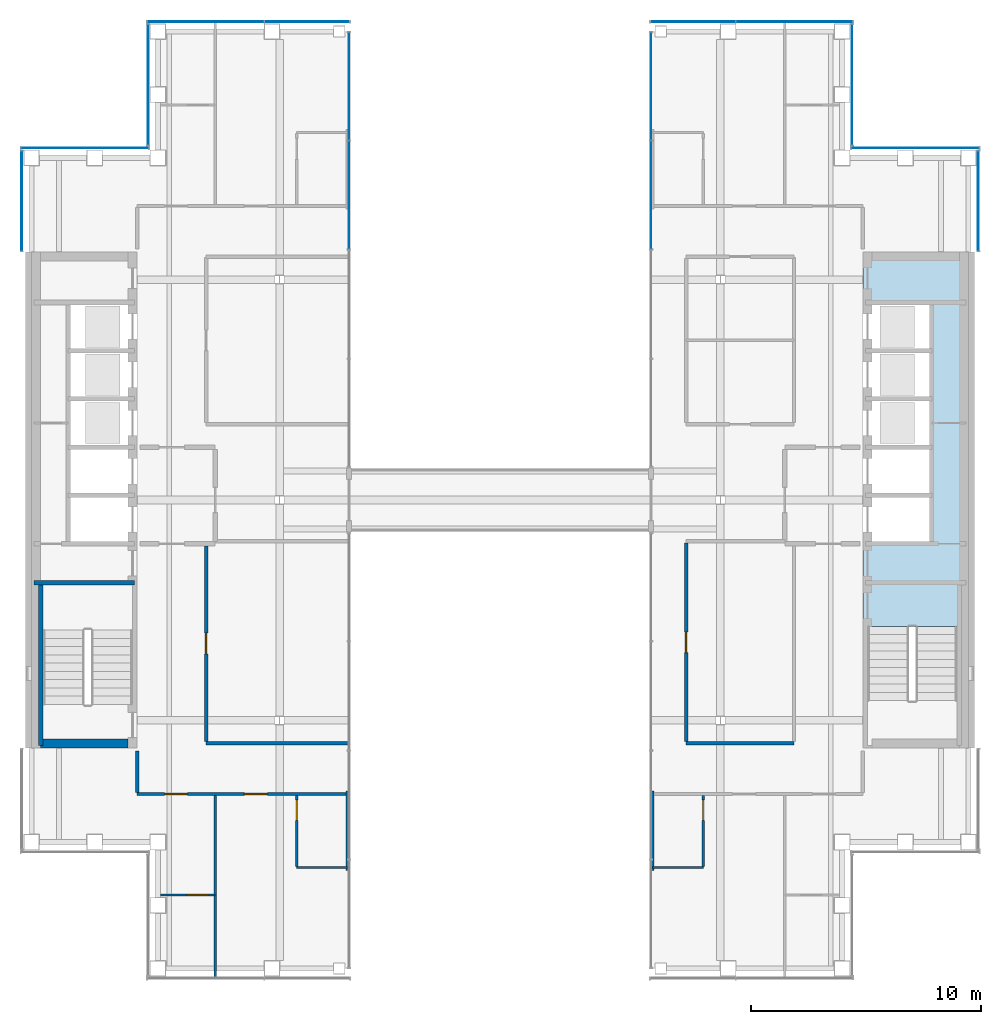
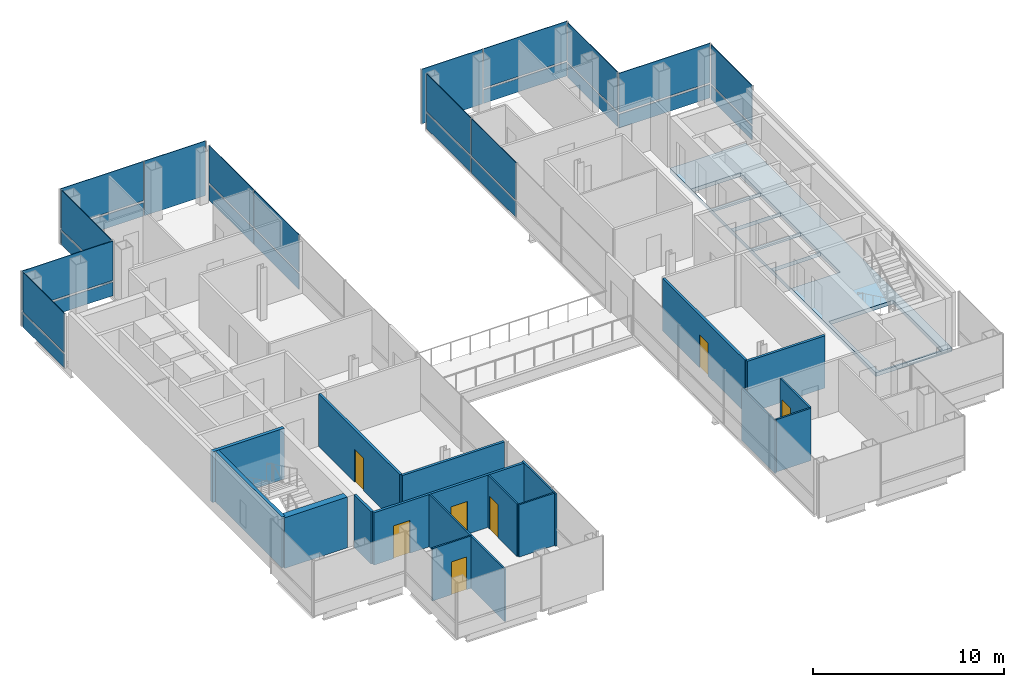
# One storey, part 10 of 15: 26 plates, 17 walls, 7 doors, 1 slab, 7 openings, 10 elements without a shape of their own.
"""IFC4 building model written with IfcOpenShell, lengths in metres."""

from ifc_helpers import new_model, si_unit, direction, frame, frame_2d, origin, origin_2d, place, context, subcontext, project, spatial, polyline, rectangle, outline, extrude, material, layer, layer_set, type_object, element, fill, aggregate, save


model = new_model("IFC4")

# Units and contexts
model_context = context("Model", 3, precision=1e-05, world=origin(), true_north=direction((0.0, 1.0)))
body_context = subcontext(model_context, "Body", "Model", "MODEL_VIEW")
ifc_project = project(units=[si_unit("LENGTHUNIT", "METRE"), si_unit("AREAUNIT", "SQUARE_METRE"), si_unit("VOLUMEUNIT", "CUBIC_METRE"), si_unit("PLANEANGLEUNIT", "RADIAN"), si_unit("MASSUNIT", "GRAM", prefix="KILO")], contexts=[model_context])

# Site, building, storey
site_placement = place(None, origin())
site = spatial("IfcSite", under=ifc_project, at=site_placement, CompositionType="ELEMENT")
building_placement = place(site_placement, origin())
building = spatial("IfcBuilding", under=site, at=building_placement, Name="Cobrizo Arcos Hotel Tower", CompositionType="ELEMENT")
storey_placement = place(building_placement, frame((0.0, 0.0, 222.5)))
storey = spatial("IfcBuildingStorey", under=building, at=storey_placement, Name="L58", CompositionType="ELEMENT", Elevation=222.5)

# Curtain wall, plate
ifc_material_1 = material(Name="Aluminium 6063-T6 anodised bronze", Category="aluminium")
curtain_wall_type_1 = type_object("IfcCurtainWallType", Name="CW-A guest facade", PredefinedType="NOTDEFINED", material=ifc_material_1)
curtain_wall_1_placement = place(storey_placement, origin())
curtain_wall_1 = element("IfcCurtainWall", 1, at=curtain_wall_1_placement, inside=storey, type_object=curtain_wall_type_1, Name="CW-A L58 E face", PredefinedType="NOTDEFINED")
ifc_material_2 = material(Name="Glass clear laminated low-e", Category="glass")
ifc_layer_1 = layer(ifc_material_2, 0.0400390625)
ifc_layer_set_1 = layer_set([ifc_layer_1], Name="CW-A glass panel")
plate_type_1 = type_object("IfcPlateType", Name="CW-A glass panel", PredefinedType="CURTAIN_PANEL", material=ifc_layer_set_1)
plate_1_placement = place(storey_placement, frame((20.824951171875, 13.02490234375, 0.990234375), z_axis=(0.0, 0.0, 1.0), x_axis=(0.0, 1.0, 0.0)))
plate_1 = element("IfcPlate", 2, at=plate_1_placement, type_object=plate_type_1, Name="CW-A glass panel 1915", PredefinedType="CURTAIN_PANEL", context=body_context, shape_type="SweptSolid", body=[
    extrude(rectangle(XDim=4.330078125, YDim=0.0400390625, at=origin_2d()), origin(), (0.0, 0.0, 1.0), 2.510009765625),
])

curtain_wall_2_placement = place(storey_placement, origin())
curtain_wall_2 = element("IfcCurtainWall", 3, at=curtain_wall_2_placement, inside=storey, type_object=curtain_wall_type_1, Name="CW-A L58 N face", PredefinedType="NOTDEFINED")
plate_2_placement = place(storey_placement, frame((18.074951171875, 15.324951171875, 0.990234375), z_axis=(0.0, 0.0, 1.0), x_axis=(-1.0, 0.0, 0.0)))
plate_2 = element("IfcPlate", 4, at=plate_2_placement, type_object=plate_type_1, Name="CW-A glass panel 1916", PredefinedType="CURTAIN_PANEL", context=body_context, shape_type="SweptSolid", body=[
    extrude(rectangle(XDim=5.530029296875, YDim=0.0400390625, at=origin_2d()), origin(), (0.0, 0.0, 1.0), 2.510009765625),
])

curtain_wall_3_placement = place(storey_placement, origin())
curtain_wall_3 = element("IfcCurtainWall", 5, at=curtain_wall_3_placement, inside=storey, type_object=curtain_wall_type_1, Name="CW-A L58 E face", PredefinedType="NOTDEFINED")
plate_3_placement = place(storey_placement, frame((15.324951171875, 18.074951171875, 0.990234375), z_axis=(0.0, 0.0, 1.0), x_axis=(0.0, 1.0, 0.0)))
plate_3 = element("IfcPlate", 6, at=plate_3_placement, type_object=plate_type_1, Name="CW-A glass panel 1917", PredefinedType="CURTAIN_PANEL", context=body_context, shape_type="SweptSolid", body=[
    extrude(rectangle(XDim=5.22998046875, YDim=0.0400390625, at=origin_2d()), origin(), (0.0, 0.0, 1.0), 2.510009765625),
])

curtain_wall_4_placement = place(storey_placement, origin())
curtain_wall_4 = element("IfcCurtainWall", 7, at=curtain_wall_4_placement, inside=storey, type_object=curtain_wall_type_1, Name="CW-A L58 N face", PredefinedType="NOTDEFINED")
plate_4_placement = place(storey_placement, frame((12.818359375, 20.824951171875, 0.990234375), z_axis=(0.0, 0.0, 1.0), x_axis=(-1.0, 0.0, 0.0)))
plate_4 = element("IfcPlate", 8, at=plate_4_placement, type_object=plate_type_1, Name="CW-A glass panel 1918", PredefinedType="CURTAIN_PANEL", context=body_context, shape_type="SweptSolid", body=[
    extrude(rectangle(XDim=5.043212890625, YDim=0.0400390625, at=origin_2d()), origin(), (0.0, 0.0, 1.0), 2.510009765625),
])

curtain_wall_5_placement = place(storey_placement, origin())
curtain_wall_5 = element("IfcCurtainWall", 9, at=curtain_wall_5_placement, inside=storey, type_object=curtain_wall_type_1, Name="CW-A L58 N face", PredefinedType="NOTDEFINED")
plate_5_placement = place(storey_placement, frame((-12.818359375, 20.824951171875, 0.990234375), z_axis=(0.0, 0.0, 1.0), x_axis=(-1.0, 0.0, 0.0)))
plate_5 = element("IfcPlate", 10, at=plate_5_placement, type_object=plate_type_1, Name="CW-A glass panel 1921", PredefinedType="CURTAIN_PANEL", context=body_context, shape_type="SweptSolid", body=[
    extrude(rectangle(XDim=5.043212890625, YDim=0.0400390625, at=origin_2d()), origin(), (0.0, 0.0, 1.0), 2.510009765625),
])

curtain_wall_6_placement = place(storey_placement, origin())
curtain_wall_6 = element("IfcCurtainWall", 11, at=curtain_wall_6_placement, inside=storey, type_object=curtain_wall_type_1, Name="CW-A L58 W face", PredefinedType="NOTDEFINED")
plate_6_placement = place(storey_placement, frame((-15.324951171875, 18.074951171875, 0.990234375), z_axis=(0.0, 0.0, 1.0), x_axis=(0.0, -1.0, 0.0)))
plate_6 = element("IfcPlate", 12, at=plate_6_placement, type_object=plate_type_1, Name="CW-A glass panel 1922", PredefinedType="CURTAIN_PANEL", context=body_context, shape_type="SweptSolid", body=[
    extrude(rectangle(XDim=5.22998046875, YDim=0.0400390625, at=origin_2d()), origin(), (0.0, 0.0, 1.0), 2.510009765625),
])

curtain_wall_7_placement = place(storey_placement, origin())
curtain_wall_7 = element("IfcCurtainWall", 13, at=curtain_wall_7_placement, inside=storey, type_object=curtain_wall_type_1, Name="CW-A L58 N face", PredefinedType="NOTDEFINED")
plate_7_placement = place(storey_placement, frame((-18.074951171875, 15.324951171875, 0.990234375), z_axis=(0.0, 0.0, 1.0), x_axis=(-1.0, 0.0, 0.0)))
plate_7 = element("IfcPlate", 14, at=plate_7_placement, type_object=plate_type_1, Name="CW-A glass panel 1923", PredefinedType="CURTAIN_PANEL", context=body_context, shape_type="SweptSolid", body=[
    extrude(rectangle(XDim=5.530029296875, YDim=0.0400390625, at=origin_2d()), origin(), (0.0, 0.0, 1.0), 2.510009765625),
])

curtain_wall_8_placement = place(storey_placement, origin())
curtain_wall_8 = element("IfcCurtainWall", 15, at=curtain_wall_8_placement, inside=storey, type_object=curtain_wall_type_1, Name="CW-A L58 W face", PredefinedType="NOTDEFINED")
plate_8_placement = place(storey_placement, frame((-20.824951171875, 13.02490234375, 0.990234375), z_axis=(0.0, 0.0, 1.0), x_axis=(0.0, -1.0, 0.0)))
plate_8 = element("IfcPlate", 16, at=plate_8_placement, type_object=plate_type_1, Name="CW-A glass panel 1924", PredefinedType="CURTAIN_PANEL", context=body_context, shape_type="SweptSolid", body=[
    extrude(rectangle(XDim=4.330078125, YDim=0.0400390625, at=origin_2d()), origin(), (0.0, 0.0, 1.0), 2.510009765625),
])

# Plate
ifc_material_3 = material(Name="Aluminium composite panel pale metal", Category="aluminium")
ifc_layer_2 = layer(ifc_material_3, 0.0400390625)
ifc_layer_set_2 = layer_set([ifc_layer_2], Name="CW-A spandrel panel")
plate_type_2 = type_object("IfcPlateType", Name="CW-A spandrel panel", PredefinedType="CURTAIN_PANEL", material=ifc_layer_set_2)
plate_9_placement = place(storey_placement, frame((20.824951171875, 13.02490234375, 0.0), z_axis=(0.0, 0.0, 1.0), x_axis=(0.0, 1.0, 0.0)))
plate_9 = element("IfcPlate", 17, at=plate_9_placement, type_object=plate_type_2, Name="CW-A spandrel panel 1915", PredefinedType="CURTAIN_PANEL", context=body_context, shape_type="SweptSolid", body=[
    extrude(rectangle(XDim=4.330078125, YDim=0.0400390625, at=origin_2d()), origin(), (0.0, 0.0, 1.0), 0.8701171875),
])

aggregate(curtain_wall_1, [plate_9, plate_1])

plate_10_placement = place(storey_placement, frame((18.074951171875, 15.324951171875, 0.0), z_axis=(0.0, 0.0, 1.0), x_axis=(-1.0, 0.0, 0.0)))
plate_10 = element("IfcPlate", 18, at=plate_10_placement, type_object=plate_type_2, Name="CW-A spandrel panel 1916", PredefinedType="CURTAIN_PANEL", context=body_context, shape_type="SweptSolid", body=[
    extrude(rectangle(XDim=5.530029296875, YDim=0.0400390625, at=origin_2d()), origin(), (0.0, 0.0, 1.0), 0.8701171875),
])

aggregate(curtain_wall_2, [plate_10, plate_2])

plate_11_placement = place(storey_placement, frame((15.324951171875, 18.074951171875, 0.0), z_axis=(0.0, 0.0, 1.0), x_axis=(0.0, 1.0, 0.0)))
plate_11 = element("IfcPlate", 19, at=plate_11_placement, type_object=plate_type_2, Name="CW-A spandrel panel 1917", PredefinedType="CURTAIN_PANEL", context=body_context, shape_type="SweptSolid", body=[
    extrude(rectangle(XDim=5.22998046875, YDim=0.0400390625, at=origin_2d()), origin(), (0.0, 0.0, 1.0), 0.8701171875),
])

aggregate(curtain_wall_3, [plate_11, plate_3])

plate_12_placement = place(storey_placement, frame((12.818359375, 20.824951171875, 0.0), z_axis=(0.0, 0.0, 1.0), x_axis=(-1.0, 0.0, 0.0)))
plate_12 = element("IfcPlate", 20, at=plate_12_placement, type_object=plate_type_2, Name="CW-A spandrel panel 1918", PredefinedType="CURTAIN_PANEL", context=body_context, shape_type="SweptSolid", body=[
    extrude(rectangle(XDim=5.043212890625, YDim=0.0400390625, at=origin_2d()), origin(), (0.0, 0.0, 1.0), 0.8701171875),
])

plate_13_placement = place(storey_placement, frame((8.3984375, 20.824951171875, 0.0), z_axis=(0.0, 0.0, 1.0), x_axis=(-1.0, 0.0, 0.0)))
plate_13 = element("IfcPlate", 21, at=plate_13_placement, type_object=plate_type_2, Name="CW-A spandrel panel 1919", PredefinedType="CURTAIN_PANEL", context=body_context, shape_type="SweptSolid", body=[
    extrude(rectangle(XDim=3.6767578125, YDim=0.0400390625, at=origin_2d()), origin(), (0.0, 0.0, 1.0), 3.5),
])

aggregate(curtain_wall_4, [plate_12, plate_4, plate_13])

plate_14_placement = place(storey_placement, frame((-8.3984375, 20.824951171875, 0.0), z_axis=(0.0, 0.0, 1.0), x_axis=(-1.0, 0.0, 0.0)))
plate_14 = element("IfcPlate", 22, at=plate_14_placement, type_object=plate_type_2, Name="CW-A spandrel panel 1920", PredefinedType="CURTAIN_PANEL", context=body_context, shape_type="SweptSolid", body=[
    extrude(rectangle(XDim=3.6767578125, YDim=0.0400390625, at=origin_2d()), origin(), (0.0, 0.0, 1.0), 3.5),
])

plate_15_placement = place(storey_placement, frame((-12.818359375, 20.824951171875, 0.0), z_axis=(0.0, 0.0, 1.0), x_axis=(-1.0, 0.0, 0.0)))
plate_15 = element("IfcPlate", 23, at=plate_15_placement, type_object=plate_type_2, Name="CW-A spandrel panel 1921", PredefinedType="CURTAIN_PANEL", context=body_context, shape_type="SweptSolid", body=[
    extrude(rectangle(XDim=5.043212890625, YDim=0.0400390625, at=origin_2d()), origin(), (0.0, 0.0, 1.0), 0.8701171875),
])

aggregate(curtain_wall_5, [plate_14, plate_15, plate_5])

plate_16_placement = place(storey_placement, frame((-15.324951171875, 18.074951171875, 0.0), z_axis=(0.0, 0.0, 1.0), x_axis=(0.0, -1.0, 0.0)))
plate_16 = element("IfcPlate", 24, at=plate_16_placement, type_object=plate_type_2, Name="CW-A spandrel panel 1922", PredefinedType="CURTAIN_PANEL", context=body_context, shape_type="SweptSolid", body=[
    extrude(rectangle(XDim=5.22998046875, YDim=0.0400390625, at=origin_2d()), origin(), (0.0, 0.0, 1.0), 0.8701171875),
])

aggregate(curtain_wall_6, [plate_16, plate_6])

plate_17_placement = place(storey_placement, frame((-18.074951171875, 15.324951171875, 0.0), z_axis=(0.0, 0.0, 1.0), x_axis=(-1.0, 0.0, 0.0)))
plate_17 = element("IfcPlate", 25, at=plate_17_placement, type_object=plate_type_2, Name="CW-A spandrel panel 1923", PredefinedType="CURTAIN_PANEL", context=body_context, shape_type="SweptSolid", body=[
    extrude(rectangle(XDim=5.530029296875, YDim=0.0400390625, at=origin_2d()), origin(), (0.0, 0.0, 1.0), 0.8701171875),
])

aggregate(curtain_wall_7, [plate_17, plate_7])

plate_18_placement = place(storey_placement, frame((-20.824951171875, 13.02490234375, 0.0), z_axis=(0.0, 0.0, 1.0), x_axis=(0.0, -1.0, 0.0)))
plate_18 = element("IfcPlate", 26, at=plate_18_placement, type_object=plate_type_2, Name="CW-A spandrel panel 1924", PredefinedType="CURTAIN_PANEL", context=body_context, shape_type="SweptSolid", body=[
    extrude(rectangle(XDim=4.330078125, YDim=0.0400390625, at=origin_2d()), origin(), (0.0, 0.0, 1.0), 0.8701171875),
])

aggregate(curtain_wall_8, [plate_18, plate_8])

# Curtain wall, plates
curtain_wall_type_2 = type_object("IfcCurtainWallType", Name="CW-F void screen", PredefinedType="NOTDEFINED", material=ifc_material_1)
curtain_wall_9_placement = place(storey_placement, origin())
curtain_wall_9 = element("IfcCurtainWall", 27, at=curtain_wall_9_placement, inside=storey, type_object=curtain_wall_type_2, Name="CW-F L58 void screen C", PredefinedType="NOTDEFINED")
ifc_layer_3 = layer(ifc_material_2, 0.0400390625)
ifc_layer_set_3 = layer_set([ifc_layer_3], Name="CW-F glass panel")
plate_type_3 = type_object("IfcPlateType", Name="CW-F glass panel", PredefinedType="CURTAIN_PANEL", material=ifc_layer_set_3)
plate_19_placement = place(storey_placement, frame((6.574951171875, 13.27490234375, 0.0), z_axis=(0.0, 0.0, 1.0), x_axis=(0.0, 1.0, 0.0)))
plate_19 = element("IfcPlate", 28, at=plate_19_placement, type_object=plate_type_3, Name="CW-F glass panel 2706", PredefinedType="CURTAIN_PANEL", context=body_context, shape_type="SweptSolid", body=[
    extrude(rectangle(XDim=4.68994140625, YDim=0.0400390625, at=origin_2d()), origin(), (0.0, 0.0, 1.0), 0.989990234375),
])
plate_20_placement = place(storey_placement, frame((6.574951171875, 13.27490234375, 1.10986328125), z_axis=(0.0, 0.0, 1.0), x_axis=(0.0, 1.0, 0.0)))
plate_20 = element("IfcPlate", 29, at=plate_20_placement, type_object=plate_type_3, Name="CW-F glass panel 2706", PredefinedType="CURTAIN_PANEL", context=body_context, shape_type="SweptSolid", body=[
    extrude(rectangle(XDim=4.68994140625, YDim=0.0400390625, at=origin_2d()), origin(), (0.0, 0.0, 1.0), 2.389892578125),
])
plate_21_placement = place(storey_placement, frame((6.574951171875, 18.010009765625, 0.0), z_axis=(0.0, 0.0, 1.0), x_axis=(0.0, 1.0, 0.0)))
plate_21 = element("IfcPlate", 30, at=plate_21_placement, type_object=plate_type_3, Name="CW-F glass panel 2707", PredefinedType="CURTAIN_PANEL", context=body_context, shape_type="SweptSolid", body=[
    extrude(rectangle(XDim=4.659912109375, YDim=0.0400390625, at=origin_2d()), origin(), (0.0, 0.0, 1.0), 0.989990234375),
])
plate_22_placement = place(storey_placement, frame((6.574951171875, 18.010009765625, 1.10986328125), z_axis=(0.0, 0.0, 1.0), x_axis=(0.0, 1.0, 0.0)))
plate_22 = element("IfcPlate", 31, at=plate_22_placement, type_object=plate_type_3, Name="CW-F glass panel 2707", PredefinedType="CURTAIN_PANEL", context=body_context, shape_type="SweptSolid", body=[
    extrude(rectangle(XDim=4.659912109375, YDim=0.0400390625, at=origin_2d()), origin(), (0.0, 0.0, 1.0), 2.389892578125),
])
aggregate(curtain_wall_9, [plate_19, plate_20, plate_21, plate_22])

curtain_wall_10_placement = place(storey_placement, origin())
curtain_wall_10 = element("IfcCurtainWall", 32, at=curtain_wall_10_placement, inside=storey, type_object=curtain_wall_type_2, Name="CW-F L58 void screen C", PredefinedType="NOTDEFINED")
plate_23_placement = place(storey_placement, frame((-6.574951171875, 18.010009765625, 0.0), z_axis=(0.0, 0.0, 1.0), x_axis=(0.0, -1.0, 0.0)))
plate_23 = element("IfcPlate", 33, at=plate_23_placement, type_object=plate_type_3, Name="CW-F glass panel 2708", PredefinedType="CURTAIN_PANEL", context=body_context, shape_type="SweptSolid", body=[
    extrude(rectangle(XDim=4.659912109375, YDim=0.0400390625, at=origin_2d()), origin(), (0.0, 0.0, 1.0), 0.989990234375),
])
plate_24_placement = place(storey_placement, frame((-6.574951171875, 18.010009765625, 1.10986328125), z_axis=(0.0, 0.0, 1.0), x_axis=(0.0, -1.0, 0.0)))
plate_24 = element("IfcPlate", 34, at=plate_24_placement, type_object=plate_type_3, Name="CW-F glass panel 2708", PredefinedType="CURTAIN_PANEL", context=body_context, shape_type="SweptSolid", body=[
    extrude(rectangle(XDim=4.659912109375, YDim=0.0400390625, at=origin_2d()), origin(), (0.0, 0.0, 1.0), 2.389892578125),
])
plate_25_placement = place(storey_placement, frame((-6.574951171875, 13.27490234375, 0.0), z_axis=(0.0, 0.0, 1.0), x_axis=(0.0, -1.0, 0.0)))
plate_25 = element("IfcPlate", 35, at=plate_25_placement, type_object=plate_type_3, Name="CW-F glass panel 2709", PredefinedType="CURTAIN_PANEL", context=body_context, shape_type="SweptSolid", body=[
    extrude(rectangle(XDim=4.68994140625, YDim=0.0400390625, at=origin_2d()), origin(), (0.0, 0.0, 1.0), 0.989990234375),
])
plate_26_placement = place(storey_placement, frame((-6.574951171875, 13.27490234375, 1.10986328125), z_axis=(0.0, 0.0, 1.0), x_axis=(0.0, -1.0, 0.0)))
plate_26 = element("IfcPlate", 36, at=plate_26_placement, type_object=plate_type_3, Name="CW-F glass panel 2709", PredefinedType="CURTAIN_PANEL", context=body_context, shape_type="SweptSolid", body=[
    extrude(rectangle(XDim=4.68994140625, YDim=0.0400390625, at=origin_2d()), origin(), (0.0, 0.0, 1.0), 2.389892578125),
])
aggregate(curtain_wall_10, [plate_23, plate_24, plate_25, plate_26])

# Slab
ifc_material_4 = material(Name="Concrete f'c 40 MPa", Category="concrete")
ifc_layer_4 = layer(ifc_material_4, 0.25)
ifc_layer_set_4 = layer_set([ifc_layer_4], Name="RC core floor slab 250 f'c 40")
slab_type = type_object("IfcSlabType", Name="RC core floor slab 250 f'c 40", PredefinedType="FLOOR", material=ifc_layer_set_4)
slab_placement = place(storey_placement, frame((0.0, 0.0, -0.25)))
element("IfcSlab", 37, at=slab_placement, inside=storey, type_object=slab_type, Name="Core floor slab CS7, east core, L58", PredefinedType="FLOOR", context=body_context, shape_type="SweptSolid", body=[
    extrude(outline(polyline([(15.800048828125, 10.800048828125), (20.39990234375, 10.800048828125), (20.39990234375, -10.800048828125), (15.800048828125, -10.800048828125), (15.800048828125, 10.800048828125)]), holes=[polyline([(19.89794921875, -10.697998046875), (19.89794921875, -5.501953125), (16.001953125, -5.501953125), (16.001953125, -10.697998046875), (19.89794921875, -10.697998046875)]), polyline([(15.802001953125, 0.197998046875), (15.802001953125, -1.89794921875), (18.798095703125, -1.89794921875), (18.798095703125, 0.197998046875), (15.802001953125, 0.197998046875)]), polyline([(15.802001953125, 2.298095703125), (15.802001953125, 0.201904296875), (18.798095703125, 0.201904296875), (18.798095703125, 2.298095703125), (15.802001953125, 2.298095703125)]), polyline([(15.802001953125, 4.39794921875), (15.802001953125, 2.302001953125), (18.798095703125, 2.302001953125), (18.798095703125, 4.39794921875), (15.802001953125, 4.39794921875)]), polyline([(18.798095703125, 6.498046875), (15.802001953125, 6.498046875), (15.802001953125, 4.402099609375), (18.798095703125, 4.402099609375), (18.798095703125, 6.498046875)]), polyline([(18.798095703125, 8.597900390625), (15.802001953125, 8.597900390625), (15.802001953125, 6.501953125), (18.798095703125, 6.501953125), (18.798095703125, 8.597900390625)])]), origin(), (0.0, 0.0, 1.0), 0.25),
])

# Wall, openings, doors
ifc_material_5 = material(Name="Gypsum board partition")
ifc_layer_5 = layer(ifc_material_5, 0.14990234375)
ifc_layer_set_5 = layer_set([ifc_layer_5], Name="Corridor wall EI 60 150")
wall_type_1 = type_object("IfcWallType", Name="Corridor wall EI 60 150", PredefinedType="PARTITIONING", material=ifc_layer_set_5)
wall_1_placement = place(storey_placement, frame((-15.800048828125, -12.800048828125, 0.0), z_axis=(0.0, 0.0, 1.0), x_axis=(1.0, 0.0, 0.0)))
wall_1 = element("IfcWall", 38, at=wall_1_placement, inside=storey, type_object=wall_type_1, Name="Partition 005", PredefinedType="PARTITIONING", context=body_context, shape_type="SweptSolid", body=[
    extrude(rectangle(XDim=9.150146484375, YDim=0.14990234375, at=frame_2d((4.5751953125, 0.0))), origin(), (0.0, 0.0, 1.0), 3.35009765625),
])
opening_1_placement = place(wall_1_placement, frame((4.6669921875, 0.0, 0.0)))
opening_1 = element("IfcOpeningElement", 39, at=opening_1_placement, cuts=wall_1, Name="Opening GD-04", PredefinedType="OPENING", context=body_context, shape_type="SweptSolid", body=[
    extrude(rectangle(XDim=1.0, YDim=2.10009765625, at=frame_2d((0.5, 1.050048828125))), frame((0.0, 0.0869140625, 0.0), z_axis=(0.0, -1.0, 0.0), x_axis=(1.0, 0.0, 0.0)), (0.0, 0.0, 1.0), 0.173828125),
])
opening_2_placement = place(wall_1_placement, frame((1.19189453125, 0.0, 0.0)))
opening_2 = element("IfcOpeningElement", 40, at=opening_2_placement, cuts=wall_1, Name="Opening GD-05", PredefinedType="OPENING", context=body_context, shape_type="SweptSolid", body=[
    extrude(rectangle(XDim=1.0, YDim=2.10009765625, at=frame_2d((0.5, 1.050048828125))), frame((0.0, 0.0869140625, 0.0), z_axis=(0.0, -1.0, 0.0), x_axis=(1.0, 0.0, 0.0)), (0.0, 0.0, 1.0), 0.173828125),
])
ifc_material_6 = material(Name="Timber door leaf", Category="wood")
door_type_1 = type_object("IfcDoorType", Name="Guest room door FD30S 1000x2100", OperationType="SINGLE_SWING_LEFT", PredefinedType="DOOR", material=ifc_material_6)
door_1_placement = place(opening_1_placement, origin())
door_1 = element("IfcDoor", 41, at=door_1_placement, inside=storey, type_object=door_type_1, Name="Door GD-04", OperationType="SINGLE_SWING_RIGHT", OverallHeight=2.10009765625, OverallWidth=1.0, PredefinedType="DOOR", context=body_context, shape_type="SweptSolid", body=[
    extrude(rectangle(XDim=1.0, YDim=2.10009765625, at=frame_2d((0.5, 1.050048828125))), frame((0.0, 0.02490234375, 0.0), z_axis=(0.0, -1.0, 0.0), x_axis=(1.0, 0.0, 0.0)), (0.0, 0.0, 1.0), 0.050048828125),
])
fill(opening_1, door_1)
door_2_placement = place(opening_2_placement, origin())
door_2 = element("IfcDoor", 42, at=door_2_placement, inside=storey, type_object=door_type_1, Name="Door GD-05", OperationType="SINGLE_SWING_RIGHT", OverallHeight=2.10009765625, OverallWidth=1.0, PredefinedType="DOOR", context=body_context, shape_type="SweptSolid", body=[
    extrude(rectangle(XDim=1.0, YDim=2.10009765625, at=frame_2d((0.5, 1.050048828125))), frame((0.0, 0.02490234375, 0.0), z_axis=(0.0, -1.0, 0.0), x_axis=(1.0, 0.0, 0.0)), (0.0, 0.0, 1.0), 0.050048828125),
])
fill(opening_2, door_2)

# Walls
wall_2_placement = place(storey_placement, frame((-12.800048828125, -10.60009765625, 0.0), z_axis=(0.0, 0.0, 1.0), x_axis=(1.0, 0.0, 0.0)))
element("IfcWall", 43, at=wall_2_placement, inside=storey, type_object=wall_type_1, Name="Partition 007", PredefinedType="PARTITIONING", context=body_context, shape_type="SweptSolid", body=[
    extrude(rectangle(XDim=6.179931640625, YDim=0.14990234375, at=frame_2d((3.08984375, 0.0))), origin(), (0.0, 0.0, 1.0), 3.35009765625),
])
wall_3_placement = place(storey_placement, frame((8.10009765625, -10.60009765625, 0.0), z_axis=(0.0, 0.0, 1.0), x_axis=(1.0, 0.0, 0.0)))
element("IfcWall", 44, at=wall_3_placement, inside=storey, type_object=wall_type_1, Name="Partition 008", PredefinedType="PARTITIONING", context=body_context, shape_type="SweptSolid", body=[
    extrude(rectangle(XDim=4.699951171875, YDim=0.14990234375, at=frame_2d((2.35009765625, 0.0))), origin(), (0.0, 0.0, 1.0), 3.35009765625),
])
wall_4_placement = place(storey_placement, frame((-15.800048828125, -12.72509765625, 0.0), z_axis=(0.0, 0.0, 1.0), x_axis=(0.0, 1.0, 0.0)))
element("IfcWall", 45, at=wall_4_placement, inside=storey, type_object=wall_type_1, Name="Partition 044", PredefinedType="PARTITIONING", context=body_context, shape_type="SweptSolid", body=[
    extrude(rectangle(XDim=1.80517578125, YDim=0.14990234375, at=frame_2d((0.902587890625, 0.0))), origin(), (0.0, 0.0, 1.0), 3.35009765625),
])

# Wall, opening, door
wall_5_placement = place(storey_placement, frame((-12.800048828125, -10.52490234375, 0.0), z_axis=(0.0, 0.0, 1.0), x_axis=(0.0, 1.0, 0.0)))
wall_5 = element("IfcWall", 46, at=wall_5_placement, inside=storey, type_object=wall_type_1, Name="Partition 046", PredefinedType="PARTITIONING", context=body_context, shape_type="SweptSolid", body=[
    extrude(rectangle(XDim=8.52490234375, YDim=0.14990234375, at=frame_2d((4.262451171875, 0.0))), origin(), (0.0, 0.0, 1.0), 3.35009765625),
])
opening_3_placement = place(wall_5_placement, frame((3.824951171875, 0.0, 0.0)))
opening_3 = element("IfcOpeningElement", 47, at=opening_3_placement, cuts=wall_5, Name="Opening RD-09", PredefinedType="OPENING", context=body_context, shape_type="SweptSolid", body=[
    extrude(rectangle(XDim=0.89990234375, YDim=2.10009765625, at=frame_2d((0.449951171875, 1.050048828125))), frame((0.0, 0.0869140625, 0.0), z_axis=(0.0, -1.0, 0.0), x_axis=(1.0, 0.0, 0.0)), (0.0, 0.0, 1.0), 0.173828125),
])
door_type_2 = type_object("IfcDoorType", Name="Room door FD30 900x2100", OperationType="SINGLE_SWING_LEFT", PredefinedType="DOOR", material=ifc_material_6)
door_3_placement = place(opening_3_placement, origin())
door_3 = element("IfcDoor", 48, at=door_3_placement, inside=storey, type_object=door_type_2, Name="Door RD-09", OperationType="SINGLE_SWING_RIGHT", OverallHeight=2.10009765625, OverallWidth=0.89990234375, PredefinedType="DOOR", context=body_context, shape_type="SweptSolid", body=[
    extrude(rectangle(XDim=0.89990234375, YDim=2.10009765625, at=frame_2d((0.449951171875, 1.050048828125))), frame((0.0, 0.02490234375, 0.0), z_axis=(0.0, -1.0, 0.0), x_axis=(1.0, 0.0, 0.0)), (0.0, 0.0, 1.0), 0.050048828125),
])
fill(opening_3, door_3)

wall_6_placement = place(storey_placement, frame((8.10009765625, -10.52490234375, 0.0), z_axis=(0.0, 0.0, 1.0), x_axis=(0.0, 1.0, 0.0)))
wall_6 = element("IfcWall", 49, at=wall_6_placement, inside=storey, type_object=wall_type_1, Name="Partition 057", PredefinedType="PARTITIONING", context=body_context, shape_type="SweptSolid", body=[
    extrude(rectangle(XDim=8.64990234375, YDim=0.14990234375, at=frame_2d((4.324951171875, 0.0))), origin(), (0.0, 0.0, 1.0), 3.35009765625),
])
opening_4_placement = place(wall_6_placement, frame((3.875, 0.0, 0.0)))
opening_4 = element("IfcOpeningElement", 50, at=opening_4_placement, cuts=wall_6, Name="Opening RD-07", PredefinedType="OPENING", context=body_context, shape_type="SweptSolid", body=[
    extrude(rectangle(XDim=0.89990234375, YDim=2.10009765625, at=frame_2d((0.449951171875, 1.050048828125))), frame((0.0, 0.0869140625, 0.0), z_axis=(0.0, -1.0, 0.0), x_axis=(1.0, 0.0, 0.0)), (0.0, 0.0, 1.0), 0.173828125),
])
door_4_placement = place(opening_4_placement, origin())
door_4 = element("IfcDoor", 51, at=door_4_placement, inside=storey, type_object=door_type_2, Name="Door RD-07", OperationType="SINGLE_SWING_LEFT", OverallHeight=2.10009765625, OverallWidth=0.89990234375, PredefinedType="DOOR", context=body_context, shape_type="SweptSolid", body=[
    extrude(rectangle(XDim=0.89990234375, YDim=2.10009765625, at=frame_2d((0.449951171875, 1.050048828125))), frame((0.0, 0.02490234375, 0.0), z_axis=(0.0, -1.0, 0.0), x_axis=(1.0, 0.0, 0.0)), (0.0, 0.0, 1.0), 0.050048828125),
])
fill(opening_4, door_4)

ifc_layer_6 = layer(ifc_material_5, 0.10009765625)
ifc_layer_set_6 = layer_set([ifc_layer_6], Name="Partition EI 30 100")
wall_type_2 = type_object("IfcWallType", Name="Partition EI 30 100", PredefinedType="PARTITIONING", material=ifc_layer_set_6)
wall_7_placement = place(storey_placement, frame((-14.780029296875, -17.199951171875, 0.0), z_axis=(0.0, 0.0, 1.0), x_axis=(1.0, 0.0, 0.0)))
wall_7 = element("IfcWall", 52, at=wall_7_placement, inside=storey, type_object=wall_type_2, Name="Partition 001", PredefinedType="PARTITIONING", context=body_context, shape_type="SweptSolid", body=[
    extrude(rectangle(XDim=2.380126953125, YDim=0.10009765625, at=frame_2d((1.18994140625, 0.0))), origin(), (0.0, 0.0, 1.0), 3.35009765625),
])
opening_5_placement = place(wall_7_placement, frame((1.16796875, 0.0, 0.0)))
opening_5 = element("IfcOpeningElement", 53, at=opening_5_placement, cuts=wall_7, Name="Opening ED-05", PredefinedType="OPENING", context=body_context, shape_type="SweptSolid", body=[
    extrude(rectangle(XDim=0.89990234375, YDim=2.10009765625, at=frame_2d((0.449951171875, 1.050048828125))), frame((0.0, 0.06201171875, 0.0), z_axis=(0.0, -1.0, 0.0), x_axis=(1.0, 0.0, 0.0)), (0.0, 0.0, 1.0), 0.1240234375),
])
door_type_3 = type_object("IfcDoorType", Name="En-suite door 900x2100", OperationType="SINGLE_SWING_LEFT", PredefinedType="DOOR", material=ifc_material_6)
door_5_placement = place(opening_5_placement, origin())
door_5 = element("IfcDoor", 54, at=door_5_placement, inside=storey, type_object=door_type_3, Name="Door ED-05", OperationType="SINGLE_SWING_LEFT", OverallHeight=2.10009765625, OverallWidth=0.89990234375, PredefinedType="DOOR", context=body_context, shape_type="SweptSolid", body=[
    extrude(rectangle(XDim=0.89990234375, YDim=2.10009765625, at=frame_2d((0.449951171875, 1.050048828125))), frame((0.0, 0.02490234375, 0.0), z_axis=(0.0, -1.0, 0.0), x_axis=(1.0, 0.0, 0.0)), (0.0, 0.0, 1.0), 0.050048828125),
])
fill(opening_5, door_5)

# Walls
for number, where, z_axis, x_axis, name in (
    (55, (-8.85009765625, -16.0, 0.0), (0.0, 0.0, 1.0), (1.0, 0.0, 0.0), "Partition 003"),
    (56, (6.64990234375, -16.0, 0.0), (0.0, 0.0, 1.0), (1.0, 0.0, 0.0), "Partition 004"),
):
    element("IfcWall", number, at=place(storey_placement, frame(where, z_axis=z_axis, x_axis=x_axis)), inside=storey, type_object=wall_type_2, Name=name, PredefinedType="PARTITIONING", context=body_context, shape_type="SweptSolid", body=[
        extrude(rectangle(XDim=2.2001953125, YDim=0.10009765625, at=frame_2d((1.10009765625, 0.0))), origin(), (0.0, 0.0, 1.0), 3.35009765625),
    ])
wall_8_placement = place(storey_placement, frame((-12.39990234375, -20.780029296875, 0.0), z_axis=(0.0, 0.0, 1.0), x_axis=(0.0, 1.0, 0.0)))
element("IfcWall", 57, at=wall_8_placement, inside=storey, type_object=wall_type_2, Name="Partition 048", PredefinedType="PARTITIONING", context=body_context, shape_type="SweptSolid", body=[
    extrude(rectangle(XDim=7.905029296875, YDim=0.10009765625, at=frame_2d((3.95263671875, 0.0))), origin(), (0.0, 0.0, 1.0), 3.35009765625),
])

# Wall, opening, door
wall_9_placement = place(storey_placement, frame((-8.85009765625, -15.949951171875, 0.0), z_axis=(0.0, 0.0, 1.0), x_axis=(0.0, 1.0, 0.0)))
wall_9 = element("IfcWall", 58, at=wall_9_placement, inside=storey, type_object=wall_type_2, Name="Partition 051", PredefinedType="PARTITIONING", context=body_context, shape_type="SweptSolid", body=[
    extrude(rectangle(XDim=3.074951171875, YDim=0.10009765625, at=frame_2d((1.53759765625, 0.0))), origin(), (0.0, 0.0, 1.0), 3.35009765625),
])
opening_6_placement = place(wall_9_placement, frame((1.99609375, 0.0, 0.0)))
opening_6 = element("IfcOpeningElement", 59, at=opening_6_placement, cuts=wall_9, Name="Opening ED-04", PredefinedType="OPENING", context=body_context, shape_type="SweptSolid", body=[
    extrude(rectangle(XDim=0.89990234375, YDim=2.10009765625, at=frame_2d((0.449951171875, 1.050048828125))), frame((0.0, 0.06201171875, 0.0), z_axis=(0.0, -1.0, 0.0), x_axis=(1.0, 0.0, 0.0)), (0.0, 0.0, 1.0), 0.1240234375),
])
door_6_placement = place(opening_6_placement, origin())
door_6 = element("IfcDoor", 60, at=door_6_placement, inside=storey, type_object=door_type_3, Name="Door ED-04", OperationType="SINGLE_SWING_RIGHT", OverallHeight=2.10009765625, OverallWidth=0.89990234375, PredefinedType="DOOR", context=body_context, shape_type="SweptSolid", body=[
    extrude(rectangle(XDim=0.89990234375, YDim=2.10009765625, at=frame_2d((0.449951171875, 1.050048828125))), frame((0.0, 0.02490234375, 0.0), z_axis=(0.0, -1.0, 0.0), x_axis=(1.0, 0.0, 0.0)), (0.0, 0.0, 1.0), 0.050048828125),
])
fill(opening_6, door_6)

# Walls
for number, where, z_axis, x_axis, name in (
    (61, (-6.64990234375, -16.139892578125, 0.0), (0.0, 0.0, 1.0), (0.0, 1.0, 0.0), "Partition 053"),
    (62, (6.64990234375, -16.139892578125, 0.0), (0.0, 0.0, 1.0), (0.0, 1.0, 0.0), "Partition 055"),
):
    element("IfcWall", number, at=place(storey_placement, frame(where, z_axis=z_axis, x_axis=x_axis)), inside=storey, type_object=wall_type_2, Name=name, PredefinedType="PARTITIONING", context=body_context, shape_type="SweptSolid", body=[
        extrude(rectangle(XDim=3.47998046875, YDim=0.10009765625, at=frame_2d((1.739990234375, 0.0))), origin(), (0.0, 0.0, 1.0), 3.35009765625),
    ])

# Wall, opening, door
wall_10_placement = place(storey_placement, frame((8.85009765625, -15.949951171875, 0.0), z_axis=(0.0, 0.0, 1.0), x_axis=(0.0, 1.0, 0.0)))
wall_10 = element("IfcWall", 63, at=wall_10_placement, inside=storey, type_object=wall_type_2, Name="Partition 059", PredefinedType="PARTITIONING", context=body_context, shape_type="SweptSolid", body=[
    extrude(rectangle(XDim=3.074951171875, YDim=0.10009765625, at=frame_2d((1.53759765625, 0.0))), origin(), (0.0, 0.0, 1.0), 3.35009765625),
])
opening_7_placement = place(wall_10_placement, frame((1.99609375, 0.0, 0.0)))
opening_7 = element("IfcOpeningElement", 64, at=opening_7_placement, cuts=wall_10, Name="Opening ED-03", PredefinedType="OPENING", context=body_context, shape_type="SweptSolid", body=[
    extrude(rectangle(XDim=0.89990234375, YDim=2.10009765625, at=frame_2d((0.449951171875, 1.050048828125))), frame((0.0, 0.06201171875, 0.0), z_axis=(0.0, -1.0, 0.0), x_axis=(1.0, 0.0, 0.0)), (0.0, 0.0, 1.0), 0.1240234375),
])
door_7_placement = place(opening_7_placement, origin())
door_7 = element("IfcDoor", 65, at=door_7_placement, inside=storey, type_object=door_type_3, Name="Door ED-03", OperationType="SINGLE_SWING_RIGHT", OverallHeight=2.10009765625, OverallWidth=0.89990234375, PredefinedType="DOOR", context=body_context, shape_type="SweptSolid", body=[
    extrude(rectangle(XDim=0.89990234375, YDim=2.10009765625, at=frame_2d((0.449951171875, 1.050048828125))), frame((0.0, 0.02490234375, 0.0), z_axis=(0.0, -1.0, 0.0), x_axis=(1.0, 0.0, 0.0)), (0.0, 0.0, 1.0), 0.050048828125),
])
fill(opening_7, door_7)

# Walls
ifc_layer_7 = layer(ifc_material_4, 0.39990234375)
ifc_layer_set_7 = layer_set([ifc_layer_7], Name="RC core wall 400 f'c 40")
wall_type_3 = type_object("IfcWallType", Name="RC core wall 400 f'c 40", PredefinedType="SHEAR", material=ifc_layer_set_7)
wall_11_placement = place(storey_placement, frame((-20.0, -10.60009765625, 0.0), z_axis=(0.0, 0.0, 1.0), x_axis=(1.0, 0.0, 0.0)))
element("IfcWall", 66, at=wall_11_placement, inside=storey, type_object=wall_type_3, Name="Core wall CW4, west core, south end, L58", PredefinedType="SHEAR", context=body_context, shape_type="SweptSolid", body=[
    extrude(rectangle(XDim=3.800048828125, YDim=0.39990234375, at=frame_2d((1.89990234375, 0.0))), origin(), (0.0, 0.0, 1.0), 3.25),
])
ifc_layer_8 = layer(ifc_material_4, 0.199951171875)
ifc_layer_set_8 = layer_set([ifc_layer_8], Name="Stair shaft wall 200")
wall_type_4 = type_object("IfcWallType", Name="Stair shaft wall 200", PredefinedType="SHEAR", material=ifc_layer_set_8)
wall_12_placement = place(storey_placement, frame((-20.280029296875, -3.60009765625, 0.0), z_axis=(0.0, 0.0, 1.0), x_axis=(1.0, 0.0, 0.0)))
element("IfcWall", 67, at=wall_12_placement, inside=storey, type_object=wall_type_4, Name="Stair shaft wall W", PredefinedType="SHEAR", context=body_context, shape_type="SweptSolid", body=[
    extrude(rectangle(XDim=4.360107421875, YDim=0.199951171875, at=frame_2d((2.18017578125, 0.0))), origin(), (0.0, 0.0, 1.0), 3.25),
])
wall_13_placement = place(storey_placement, frame((-20.0, -10.679931640625, 0.0), z_axis=(0.0, 0.0, 1.0), x_axis=(0.0, 1.0, 0.0)))
element("IfcWall", 68, at=wall_13_placement, inside=storey, type_object=wall_type_4, Name="Stair shaft wall W", PredefinedType="SHEAR", context=body_context, shape_type="SweptSolid", body=[
    extrude(rectangle(XDim=6.97998046875, YDim=0.199951171875, at=frame_2d((3.489990234375, 0.0))), origin(), (0.0, 0.0, 1.0), 3.25),
])

save(model, "model.ifc")
